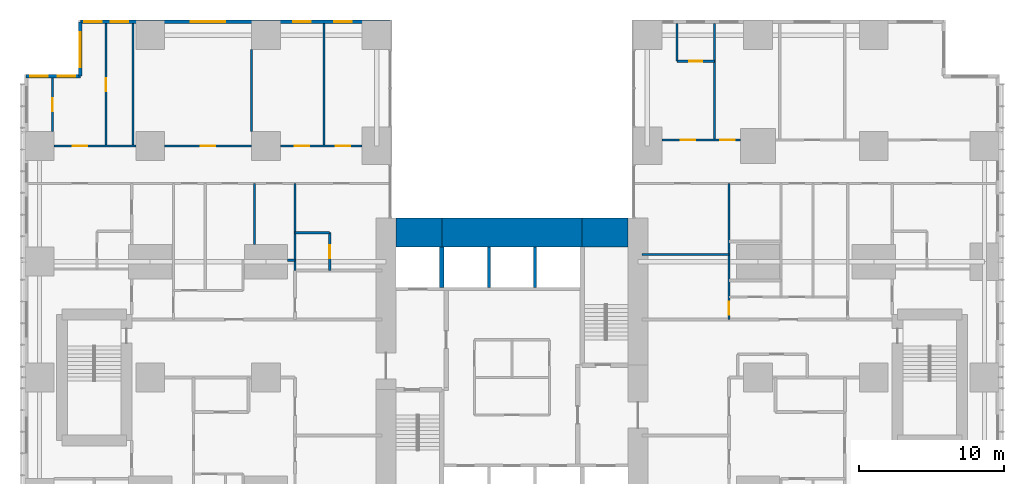
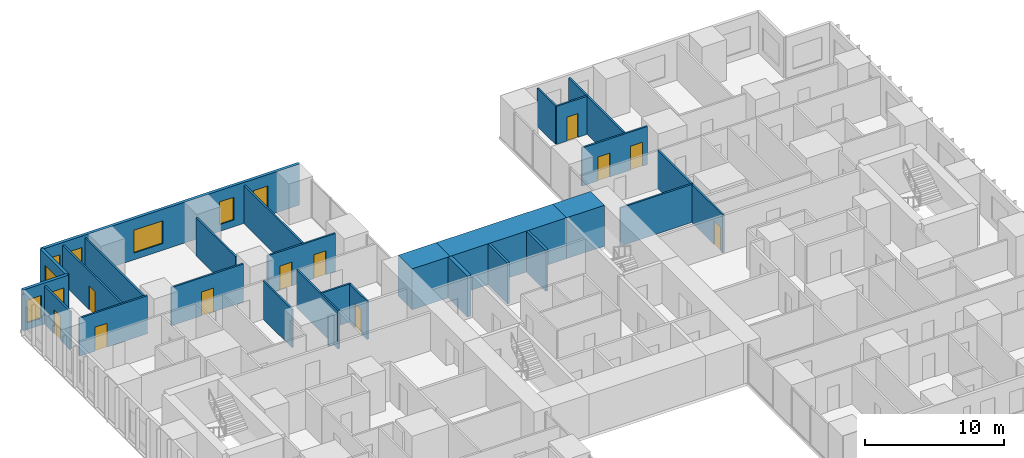
# One storey, part 17 of 20: 28 walls, 11 doors, 8 windows, 19 openings.
"""IFC4 building model written with IfcOpenShell, lengths in metres."""

from ifc_helpers import new_model, si_unit, direction, frame, frame_2d, origin, place, context, subcontext, project, spatial, rectangle, extrude, material, layer, layer_set, type_object, element, fill, save


model = new_model("IFC4")

# Units and contexts
model_context = context("Model", 3, precision=1e-05, world=origin(), true_north=direction((0.0, 1.0)))
body_context = subcontext(model_context, "Body", "Model", "MODEL_VIEW")
ifc_project = project(units=[si_unit("LENGTHUNIT", "METRE"), si_unit("AREAUNIT", "SQUARE_METRE"), si_unit("VOLUMEUNIT", "CUBIC_METRE"), si_unit("PLANEANGLEUNIT", "RADIAN"), si_unit("MASSUNIT", "GRAM", prefix="KILO")], contexts=[model_context])

# Site, building, storey
site_placement = place(None, origin())
site = spatial("IfcSite", under=ifc_project, at=site_placement, CompositionType="ELEMENT")
building_placement = place(site_placement, origin())
building = spatial("IfcBuilding", under=site, at=building_placement, Name="Cleftline Residences", CompositionType="ELEMENT")
storey_placement = place(building_placement, frame((0.0, 0.0, 76.39990234375)))
storey = spatial("IfcBuildingStorey", under=building, at=storey_placement, Name="L19", CompositionType="ELEMENT", Elevation=76.39990234375)

# Walls
ifc_material_1 = material(Name="Concrete B70", Category="concrete")
ifc_layer_1 = layer(ifc_material_1, 2.0)
ifc_layer_set_1 = layer_set([ifc_layer_1], Name="CORE WALL 2000")
wall_type_1 = type_object("IfcWallType", Name="CORE WALL 2000", PredefinedType="SHEAR", material=ifc_layer_set_1)
wall_1_placement = place(storey_placement, frame((25.0, 34.0, 0.0), z_axis=(0.0, 0.0, 1.0), x_axis=(1.0, 0.0, 0.0)))
element("IfcWall", 1, at=wall_1_placement, inside=storey, type_object=wall_type_1, Name="Core wall N1", PredefinedType="SHEAR", context=body_context, shape_type="SweptSolid", body=[
    extrude(rectangle(XDim=3.14990234375, YDim=2.0, at=frame_2d((1.574951171875, 0.0))), origin(), (0.0, 0.0, 1.0), 3.60009765625),
])
wall_2_placement = place(storey_placement, frame((28.14990234375, 34.0, 0.0), z_axis=(0.0, 0.0, 1.0), x_axis=(1.0, 0.0, 0.0)))
element("IfcWall", 2, at=wall_2_placement, inside=storey, type_object=wall_type_1, Name="Core wall N2", PredefinedType="SHEAR", context=body_context, shape_type="SweptSolid", body=[
    extrude(rectangle(XDim=9.7001953125, YDim=2.0, at=frame_2d((4.85009765625, 0.0))), origin(), (0.0, 0.0, 1.0), 3.60009765625),
])
wall_3_placement = place(storey_placement, frame((37.85009765625, 34.0, 0.0), z_axis=(0.0, 0.0, 1.0), x_axis=(1.0, 0.0, 0.0)))
element("IfcWall", 3, at=wall_3_placement, inside=storey, type_object=wall_type_1, Name="Core wall N3", PredefinedType="SHEAR", context=body_context, shape_type="SweptSolid", body=[
    extrude(rectangle(XDim=3.14990234375, YDim=2.0, at=frame_2d((1.574951171875, 0.0))), origin(), (0.0, 0.0, 1.0), 3.60009765625),
])
ifc_material_2 = material(Name="Concrete B70", Category="concrete")
ifc_layer_2 = layer(ifc_material_2, 0.300048828125)
ifc_layer_set_2 = layer_set([ifc_layer_2], Name="CORE WALL 300")
wall_type_2 = type_object("IfcWallType", Name="CORE WALL 300", PredefinedType="SHEAR", material=ifc_layer_set_2)
wall_4_placement = place(storey_placement, frame((28.14990234375, 30.199951171875, 0.0), z_axis=(0.0, 0.0, 1.0), x_axis=(0.0, 1.0, 0.0)))
element("IfcWall", 4, at=wall_4_placement, inside=storey, type_object=wall_type_2, Name="Lift shaft wall", PredefinedType="SHEAR", context=body_context, shape_type="SweptSolid", body=[
    extrude(rectangle(XDim=2.800048828125, YDim=0.300048828125, at=frame_2d((1.39990234375, 0.0))), origin(), (0.0, 0.0, 1.0), 3.60009765625),
])

# Wall, openings, windows
ifc_material_3 = material(Name="Rendered reinforced concrete blockwork", Category="masonry")
ifc_layer_3 = layer(ifc_material_3, 0.25)
ifc_layer_set_3 = layer_set([ifc_layer_3], Name="EXTERNAL WALL 250")
wall_type_3 = type_object("IfcWallType", Name="EXTERNAL WALL 250", PredefinedType="SOLIDWALL", material=ifc_layer_set_3)
wall_5_placement = place(storey_placement, frame((24.574951171875, 48.574951171875, 0.0), z_axis=(0.0, 0.0, 1.0), x_axis=(-1.0, 0.0, 0.0)))
wall_5 = element("IfcWall", 5, at=wall_5_placement, inside=storey, type_object=wall_type_3, Name="External wall", PredefinedType="SOLIDWALL", context=body_context, shape_type="SweptSolid", body=[
    extrude(rectangle(XDim=21.39990234375, YDim=0.25, at=frame_2d((10.699951171875, 0.0))), origin(), (0.0, 0.0, 1.0), 3.60009765625),
])
opening_1_placement = place(wall_5_placement, frame((2.64990234375, 0.0, 0.60009765625)))
opening_1 = element("IfcOpeningElement", 6, at=opening_1_placement, cuts=wall_5, Name="Opening W8", PredefinedType="OPENING", context=body_context, shape_type="SweptSolid", body=[
    extrude(rectangle(XDim=1.199951171875, YDim=2.0, at=frame_2d((0.60009765625, 1.0))), frame((0.0, 0.135009765625, 0.0), z_axis=(0.0, -1.0, 0.0), x_axis=(1.0, 0.0, 0.0)), (0.0, 0.0, 1.0), 0.27001953125),
])
opening_2_placement = place(wall_5_placement, frame((5.47509765625, 0.0, 0.60009765625)))
opening_2 = element("IfcOpeningElement", 7, at=opening_2_placement, cuts=wall_5, Name="Opening W8", PredefinedType="OPENING", context=body_context, shape_type="SweptSolid", body=[
    extrude(rectangle(XDim=1.199951171875, YDim=2.0, at=frame_2d((0.60009765625, 1.0))), frame((0.0, 0.135009765625, 0.0), z_axis=(0.0, -1.0, 0.0), x_axis=(1.0, 0.0, 0.0)), (0.0, 0.0, 1.0), 0.27001953125),
])
opening_3_placement = place(wall_5_placement, frame((11.375, 0.0, 0.60009765625)))
opening_3 = element("IfcOpeningElement", 8, at=opening_3_placement, cuts=wall_5, Name="Opening W6", PredefinedType="OPENING", context=body_context, shape_type="SweptSolid", body=[
    extrude(rectangle(XDim=2.39990234375, YDim=2.0, at=frame_2d((1.199951171875, 1.0))), frame((0.0, 0.135009765625, 0.0), z_axis=(0.0, -1.0, 0.0), x_axis=(1.0, 0.0, 0.0)), (0.0, 0.0, 1.0), 0.27001953125),
])
opening_4_placement = place(wall_5_placement, frame((18.10009765625, 0.0, 0.60009765625)))
opening_4 = element("IfcOpeningElement", 9, at=opening_4_placement, cuts=wall_5, Name="Opening W8", PredefinedType="OPENING", context=body_context, shape_type="SweptSolid", body=[
    extrude(rectangle(XDim=1.199951171875, YDim=2.0, at=frame_2d((0.60009765625, 1.0))), frame((0.0, 0.135009765625, 0.0), z_axis=(0.0, -1.0, 0.0), x_axis=(1.0, 0.0, 0.0)), (0.0, 0.0, 1.0), 0.27001953125),
])
opening_5_placement = place(wall_5_placement, frame((19.925048828125, 0.0, 0.60009765625)))
opening_5 = element("IfcOpeningElement", 10, at=opening_5_placement, cuts=wall_5, Name="Opening W8", PredefinedType="OPENING", context=body_context, shape_type="SweptSolid", body=[
    extrude(rectangle(XDim=1.199951171875, YDim=2.0, at=frame_2d((0.60009765625, 1.0))), frame((0.0, 0.135009765625, 0.0), z_axis=(0.0, -1.0, 0.0), x_axis=(1.0, 0.0, 0.0)), (0.0, 0.0, 1.0), 0.27001953125),
])
ifc_material_4 = material(Name="Aluminium frame, clear double glazing", Category="aluminium")
window_type_1 = type_object("IfcWindowType", Name="WINDOW 1200X2000", PartitioningType="DOUBLE_PANEL_VERTICAL", PredefinedType="WINDOW", material=ifc_material_4)
window_1_placement = place(opening_1_placement, origin())
window_1 = element("IfcWindow", 11, at=window_1_placement, inside=storey, type_object=window_type_1, Name="Window", OverallHeight=2.0, OverallWidth=1.199951171875, PartitioningType="SINGLE_PANEL", PredefinedType="WINDOW", context=body_context, shape_type="SweptSolid", body=[
    extrude(rectangle(XDim=1.199951171875, YDim=2.0, at=frame_2d((0.60009765625, 1.0))), frame((0.0, 0.030029296875, 0.0), z_axis=(0.0, -1.0, 0.0), x_axis=(1.0, 0.0, 0.0)), (0.0, 0.0, 1.0), 0.06005859375),
])
fill(opening_1, window_1)
window_2_placement = place(opening_2_placement, origin())
window_2 = element("IfcWindow", 12, at=window_2_placement, inside=storey, type_object=window_type_1, Name="Window", OverallHeight=2.0, OverallWidth=1.199951171875, PartitioningType="SINGLE_PANEL", PredefinedType="WINDOW", context=body_context, shape_type="SweptSolid", body=[
    extrude(rectangle(XDim=1.199951171875, YDim=2.0, at=frame_2d((0.60009765625, 1.0))), frame((0.0, 0.030029296875, 0.0), z_axis=(0.0, -1.0, 0.0), x_axis=(1.0, 0.0, 0.0)), (0.0, 0.0, 1.0), 0.06005859375),
])
fill(opening_2, window_2)
window_3_placement = place(opening_4_placement, origin())
window_3 = element("IfcWindow", 13, at=window_3_placement, inside=storey, type_object=window_type_1, Name="Window", OverallHeight=2.0, OverallWidth=1.199951171875, PartitioningType="SINGLE_PANEL", PredefinedType="WINDOW", context=body_context, shape_type="SweptSolid", body=[
    extrude(rectangle(XDim=1.199951171875, YDim=2.0, at=frame_2d((0.60009765625, 1.0))), frame((0.0, 0.030029296875, 0.0), z_axis=(0.0, -1.0, 0.0), x_axis=(1.0, 0.0, 0.0)), (0.0, 0.0, 1.0), 0.06005859375),
])
fill(opening_4, window_3)
window_4_placement = place(opening_5_placement, origin())
window_4 = element("IfcWindow", 14, at=window_4_placement, inside=storey, type_object=window_type_1, Name="Window", OverallHeight=2.0, OverallWidth=1.199951171875, PartitioningType="SINGLE_PANEL", PredefinedType="WINDOW", context=body_context, shape_type="SweptSolid", body=[
    extrude(rectangle(XDim=1.199951171875, YDim=2.0, at=frame_2d((0.60009765625, 1.0))), frame((0.0, 0.030029296875, 0.0), z_axis=(0.0, -1.0, 0.0), x_axis=(1.0, 0.0, 0.0)), (0.0, 0.0, 1.0), 0.06005859375),
])
fill(opening_5, window_4)
ifc_material_5 = material(Name="Aluminium frame, clear double glazing", Category="aluminium")
window_type_2 = type_object("IfcWindowType", Name="WINDOW 2400X2000", PartitioningType="DOUBLE_PANEL_VERTICAL", PredefinedType="WINDOW", material=ifc_material_5)
window_5_placement = place(opening_3_placement, origin())
window_5 = element("IfcWindow", 15, at=window_5_placement, inside=storey, type_object=window_type_2, Name="Window", OverallHeight=2.0, OverallWidth=2.39990234375, PartitioningType="SINGLE_PANEL", PredefinedType="WINDOW", context=body_context, shape_type="SweptSolid", body=[
    extrude(rectangle(XDim=2.39990234375, YDim=2.0, at=frame_2d((1.199951171875, 1.0))), frame((0.0, 0.030029296875, 0.0), z_axis=(0.0, -1.0, 0.0), x_axis=(1.0, 0.0, 0.0)), (0.0, 0.0, 1.0), 0.06005859375),
])
fill(opening_3, window_5)

# Wall, opening, window
wall_6_placement = place(storey_placement, frame((3.175048828125, 48.574951171875, 0.0), z_axis=(0.0, 0.0, 1.0), x_axis=(0.0, -1.0, 0.0)))
wall_6 = element("IfcWall", 16, at=wall_6_placement, inside=storey, type_object=wall_type_3, Name="External wall", PredefinedType="SOLIDWALL", context=body_context, shape_type="SweptSolid", body=[
    extrude(rectangle(XDim=3.75, YDim=0.25, at=frame_2d((1.875, 0.0))), origin(), (0.0, 0.0, 1.0), 3.60009765625),
])
opening_6_placement = place(wall_6_placement, frame((0.737548828125, 0.0, 0.60009765625)))
opening_6 = element("IfcOpeningElement", 17, at=opening_6_placement, cuts=wall_6, Name="Opening W6", PredefinedType="OPENING", context=body_context, shape_type="SweptSolid", body=[
    extrude(rectangle(XDim=2.39990234375, YDim=2.0, at=frame_2d((1.199951171875, 1.0))), frame((0.0, 0.135009765625, 0.0), z_axis=(0.0, -1.0, 0.0), x_axis=(1.0, 0.0, 0.0)), (0.0, 0.0, 1.0), 0.27001953125),
])
window_6_placement = place(opening_6_placement, origin())
window_6 = element("IfcWindow", 18, at=window_6_placement, inside=storey, type_object=window_type_2, Name="Window", OverallHeight=2.0, OverallWidth=2.39990234375, PartitioningType="SINGLE_PANEL", PredefinedType="WINDOW", context=body_context, shape_type="SweptSolid", body=[
    extrude(rectangle(XDim=2.39990234375, YDim=2.0, at=frame_2d((1.199951171875, 1.0))), frame((0.0, 0.030029296875, 0.0), z_axis=(0.0, -1.0, 0.0), x_axis=(1.0, 0.0, 0.0)), (0.0, 0.0, 1.0), 0.06005859375),
])
fill(opening_6, window_6)

# Wall, openings, windows
wall_7_placement = place(storey_placement, frame((3.175048828125, 44.824951171875, 0.0), z_axis=(0.0, 0.0, 1.0), x_axis=(-1.0, 0.0, 0.0)))
wall_7 = element("IfcWall", 19, at=wall_7_placement, inside=storey, type_object=wall_type_3, Name="External wall", PredefinedType="SOLIDWALL", context=body_context, shape_type="SweptSolid", body=[
    extrude(rectangle(XDim=3.75, YDim=0.25, at=frame_2d((1.875, 0.0))), origin(), (0.0, 0.0, 1.0), 3.60009765625),
])
opening_7_placement = place(wall_7_placement, frame((0.362548828125, 0.0, 0.60009765625)))
opening_7 = element("IfcOpeningElement", 20, at=opening_7_placement, cuts=wall_7, Name="Opening W8", PredefinedType="OPENING", context=body_context, shape_type="SweptSolid", body=[
    extrude(rectangle(XDim=1.199951171875, YDim=2.0, at=frame_2d((0.60009765625, 1.0))), frame((0.0, 0.135009765625, 0.0), z_axis=(0.0, -1.0, 0.0), x_axis=(1.0, 0.0, 0.0)), (0.0, 0.0, 1.0), 0.27001953125),
])
opening_8_placement = place(wall_7_placement, frame((2.25, 0.0, 0.60009765625)))
opening_8 = element("IfcOpeningElement", 21, at=opening_8_placement, cuts=wall_7, Name="Opening W8", PredefinedType="OPENING", context=body_context, shape_type="SweptSolid", body=[
    extrude(rectangle(XDim=1.199951171875, YDim=2.0, at=frame_2d((0.60009765625, 1.0))), frame((0.0, 0.135009765625, 0.0), z_axis=(0.0, -1.0, 0.0), x_axis=(1.0, 0.0, 0.0)), (0.0, 0.0, 1.0), 0.27001953125),
])
window_7_placement = place(opening_7_placement, origin())
window_7 = element("IfcWindow", 22, at=window_7_placement, inside=storey, type_object=window_type_1, Name="Window", OverallHeight=2.0, OverallWidth=1.199951171875, PartitioningType="SINGLE_PANEL", PredefinedType="WINDOW", context=body_context, shape_type="SweptSolid", body=[
    extrude(rectangle(XDim=1.199951171875, YDim=2.0, at=frame_2d((0.60009765625, 1.0))), frame((0.0, 0.030029296875, 0.0), z_axis=(0.0, -1.0, 0.0), x_axis=(1.0, 0.0, 0.0)), (0.0, 0.0, 1.0), 0.06005859375),
])
fill(opening_7, window_7)
window_8_placement = place(opening_8_placement, origin())
window_8 = element("IfcWindow", 23, at=window_8_placement, inside=storey, type_object=window_type_1, Name="Window", OverallHeight=2.0, OverallWidth=1.199951171875, PartitioningType="SINGLE_PANEL", PredefinedType="WINDOW", context=body_context, shape_type="SweptSolid", body=[
    extrude(rectangle(XDim=1.199951171875, YDim=2.0, at=frame_2d((0.60009765625, 1.0))), frame((0.0, 0.030029296875, 0.0), z_axis=(0.0, -1.0, 0.0), x_axis=(1.0, 0.0, 0.0)), (0.0, 0.0, 1.0), 0.06005859375),
])
fill(opening_8, window_8)

# Walls
ifc_material_6 = material(Name="Gypsum board on steel studs", Category="steel")
ifc_layer_4 = layer(ifc_material_6, 0.14990234375)
ifc_layer_set_4 = layer_set([ifc_layer_4], Name="PARTITION 150")
wall_type_4 = type_object("IfcWallType", Name="PARTITION 150", PredefinedType="PARTITIONING", material=ifc_layer_set_4)
wall_8_placement = place(storey_placement, frame((17.5, 32.10009765625, 0.0), z_axis=(0.0, 0.0, 1.0), x_axis=(1.0, 0.0, 0.0)))
element("IfcWall", 24, at=wall_8_placement, inside=storey, type_object=wall_type_4, Name="Partition", PredefinedType="PARTITIONING", context=body_context, shape_type="SweptSolid", body=[
    extrude(rectangle(XDim=0.5, YDim=0.14990234375, at=frame_2d((0.25, 0.0))), origin(), (0.0, 0.0, 1.0), 2.634033203125),
])
wall_9_placement = place(storey_placement, frame((42.0, 32.5, 0.0), z_axis=(0.0, 0.0, 1.0), x_axis=(1.0, 0.0, 0.0)))
element("IfcWall", 25, at=wall_9_placement, inside=storey, type_object=wall_type_4, Name="Partition", PredefinedType="PARTITIONING", context=body_context, shape_type="SweptSolid", body=[
    extrude(rectangle(XDim=6.0, YDim=0.14990234375, at=frame_2d((3.0, 0.0))), origin(), (0.0, 0.0, 1.0), 3.35009765625),
])
wall_10_placement = place(storey_placement, frame((18.0, 34.0, 0.0), z_axis=(0.0, 0.0, 1.0), x_axis=(1.0, 0.0, 0.0)))
element("IfcWall", 26, at=wall_10_placement, inside=storey, type_object=wall_type_4, Name="Partition", PredefinedType="PARTITIONING", context=body_context, shape_type="SweptSolid", body=[
    extrude(rectangle(XDim=2.39990234375, YDim=0.14990234375, at=frame_2d((1.199951171875, 0.0))), origin(), (0.0, 0.0, 1.0), 3.35009765625),
])

# Wall, opening, door
wall_11_placement = place(storey_placement, frame((1.35009765625, 40.0, 0.0), z_axis=(0.0, 0.0, 1.0), x_axis=(1.0, 0.0, 0.0)))
wall_11 = element("IfcWall", 27, at=wall_11_placement, inside=storey, type_object=wall_type_4, Name="Partition", PredefinedType="PARTITIONING", context=body_context, shape_type="SweptSolid", body=[
    extrude(rectangle(XDim=5.64990234375, YDim=0.14990234375, at=frame_2d((2.824951171875, 0.0))), origin(), (0.0, 0.0, 1.0), 3.35009765625),
])
opening_9_placement = place(wall_11_placement, frame((1.300048828125, 0.0, 0.0)))
opening_9 = element("IfcOpeningElement", 28, at=opening_9_placement, cuts=wall_11, Name="Opening D2", PredefinedType="OPENING", context=body_context, shape_type="SweptSolid", body=[
    extrude(rectangle(XDim=1.0, YDim=2.10009765625, at=frame_2d((0.5, 1.050048828125))), frame((0.0, 0.0849609375, 0.0), z_axis=(0.0, -1.0, 0.0), x_axis=(1.0, 0.0, 0.0)), (0.0, 0.0, 1.0), 0.169921875),
])
ifc_material_7 = material(Name="Timber veneer on solid core", Category="wood")
door_type_1 = type_object("IfcDoorType", Name="DOOR 1000X2100", OperationType="SINGLE_SWING_LEFT", PredefinedType="DOOR", material=ifc_material_7)
door_1_placement = place(opening_9_placement, origin())
door_1 = element("IfcDoor", 29, at=door_1_placement, inside=storey, type_object=door_type_1, Name="Door to bedroom 2", OperationType="SINGLE_SWING_RIGHT", OverallHeight=2.10009765625, OverallWidth=1.0, PredefinedType="DOOR", context=body_context, shape_type="SweptSolid", body=[
    extrude(rectangle(XDim=1.0, YDim=2.10009765625, at=frame_2d((0.5, 1.050048828125))), frame((0.0, 0.02490234375, 0.0), z_axis=(0.0, -1.0, 0.0), x_axis=(1.0, 0.0, 0.0)), (0.0, 0.0, 1.0), 0.050048828125),
])
fill(opening_9, door_1)

wall_12_placement = place(storey_placement, frame((9.0, 40.0, 0.0), z_axis=(0.0, 0.0, 1.0), x_axis=(1.0, 0.0, 0.0)))
wall_12 = element("IfcWall", 30, at=wall_12_placement, inside=storey, type_object=wall_type_4, Name="Partition", PredefinedType="PARTITIONING", context=body_context, shape_type="SweptSolid", body=[
    extrude(rectangle(XDim=6.0, YDim=0.14990234375, at=frame_2d((3.0, 0.0))), origin(), (0.0, 0.0, 1.0), 3.35009765625),
])
opening_10_placement = place(wall_12_placement, frame((2.5, 0.0, 0.0)))
opening_10 = element("IfcOpeningElement", 31, at=opening_10_placement, cuts=wall_12, Name="Opening D2", PredefinedType="OPENING", context=body_context, shape_type="SweptSolid", body=[
    extrude(rectangle(XDim=1.0, YDim=2.10009765625, at=frame_2d((0.5, 1.050048828125))), frame((0.0, 0.0849609375, 0.0), z_axis=(0.0, -1.0, 0.0), x_axis=(1.0, 0.0, 0.0)), (0.0, 0.0, 1.0), 0.169921875),
])
door_2_placement = place(opening_10_placement, origin())
door_2 = element("IfcDoor", 32, at=door_2_placement, inside=storey, type_object=door_type_1, Name="Door to living room", OperationType="SINGLE_SWING_LEFT", OverallHeight=2.10009765625, OverallWidth=1.0, PredefinedType="DOOR", context=body_context, shape_type="SweptSolid", body=[
    extrude(rectangle(XDim=1.0, YDim=2.10009765625, at=frame_2d((0.5, 1.050048828125))), frame((0.0, 0.02490234375, 0.0), z_axis=(0.0, -1.0, 0.0), x_axis=(1.0, 0.0, 0.0)), (0.0, 0.0, 1.0), 0.050048828125),
])
fill(opening_10, door_2)

# Wall, openings, doors
wall_13_placement = place(storey_placement, frame((17.0, 40.0, 0.0), z_axis=(0.0, 0.0, 1.0), x_axis=(1.0, 0.0, 0.0)))
wall_13 = element("IfcWall", 33, at=wall_13_placement, inside=storey, type_object=wall_type_4, Name="Partition", PredefinedType="PARTITIONING", context=body_context, shape_type="SweptSolid", body=[
    extrude(rectangle(XDim=5.64990234375, YDim=0.14990234375, at=frame_2d((2.824951171875, 0.0))), origin(), (0.0, 0.0, 1.0), 3.35009765625),
])
opening_11_placement = place(wall_13_placement, frame((1.0, 0.0, 0.0)))
opening_11 = element("IfcOpeningElement", 34, at=opening_11_placement, cuts=wall_13, Name="Opening D2", PredefinedType="OPENING", context=body_context, shape_type="SweptSolid", body=[
    extrude(rectangle(XDim=1.0, YDim=2.10009765625, at=frame_2d((0.5, 1.050048828125))), frame((0.0, 0.0849609375, 0.0), z_axis=(0.0, -1.0, 0.0), x_axis=(1.0, 0.0, 0.0)), (0.0, 0.0, 1.0), 0.169921875),
])
opening_12_placement = place(wall_13_placement, frame((3.824951171875, 0.0, 0.0)))
opening_12 = element("IfcOpeningElement", 35, at=opening_12_placement, cuts=wall_13, Name="Opening D2", PredefinedType="OPENING", context=body_context, shape_type="SweptSolid", body=[
    extrude(rectangle(XDim=1.0, YDim=2.10009765625, at=frame_2d((0.5, 1.050048828125))), frame((0.0, 0.0849609375, 0.0), z_axis=(0.0, -1.0, 0.0), x_axis=(1.0, 0.0, 0.0)), (0.0, 0.0, 1.0), 0.169921875),
])
door_3_placement = place(opening_11_placement, origin())
door_3 = element("IfcDoor", 36, at=door_3_placement, inside=storey, type_object=door_type_1, Name="Door to dining room", OperationType="SINGLE_SWING_RIGHT", OverallHeight=2.10009765625, OverallWidth=1.0, PredefinedType="DOOR", context=body_context, shape_type="SweptSolid", body=[
    extrude(rectangle(XDim=1.0, YDim=2.10009765625, at=frame_2d((0.5, 1.050048828125))), frame((0.0, 0.02490234375, 0.0), z_axis=(0.0, -1.0, 0.0), x_axis=(1.0, 0.0, 0.0)), (0.0, 0.0, 1.0), 0.050048828125),
])
fill(opening_11, door_3)
door_4_placement = place(opening_12_placement, origin())
door_4 = element("IfcDoor", 37, at=door_4_placement, inside=storey, type_object=door_type_1, Name="Door to show kitchen", OperationType="SINGLE_SWING_LEFT", OverallHeight=2.10009765625, OverallWidth=1.0, PredefinedType="DOOR", context=body_context, shape_type="SweptSolid", body=[
    extrude(rectangle(XDim=1.0, YDim=2.10009765625, at=frame_2d((0.5, 1.050048828125))), frame((0.0, 0.02490234375, 0.0), z_axis=(0.0, -1.0, 0.0), x_axis=(1.0, 0.0, 0.0)), (0.0, 0.0, 1.0), 0.050048828125),
])
fill(opening_12, door_4)

wall_14_placement = place(storey_placement, frame((43.35009765625, 40.39990234375, 0.0), z_axis=(0.0, 0.0, 1.0), x_axis=(1.0, 0.0, 0.0)))
wall_14 = element("IfcWall", 38, at=wall_14_placement, inside=storey, type_object=wall_type_4, Name="Partition", PredefinedType="PARTITIONING", context=body_context, shape_type="SweptSolid", body=[
    extrude(rectangle(XDim=5.449951171875, YDim=0.14990234375, at=frame_2d((2.72509765625, 0.0))), origin(), (0.0, 0.0, 1.0), 3.35009765625),
])
opening_13_placement = place(wall_14_placement, frame((4.050048828125, 0.0, 0.0)))
opening_13 = element("IfcOpeningElement", 39, at=opening_13_placement, cuts=wall_14, Name="Opening D2", PredefinedType="OPENING", context=body_context, shape_type="SweptSolid", body=[
    extrude(rectangle(XDim=1.0, YDim=2.10009765625, at=frame_2d((0.5, 1.050048828125))), frame((0.0, 0.0849609375, 0.0), z_axis=(0.0, -1.0, 0.0), x_axis=(1.0, 0.0, 0.0)), (0.0, 0.0, 1.0), 0.169921875),
])
opening_14_placement = place(wall_14_placement, frame((1.324951171875, 0.0, 0.0)))
opening_14 = element("IfcOpeningElement", 40, at=opening_14_placement, cuts=wall_14, Name="Opening D2", PredefinedType="OPENING", context=body_context, shape_type="SweptSolid", body=[
    extrude(rectangle(XDim=1.0, YDim=2.10009765625, at=frame_2d((0.5, 1.050048828125))), frame((0.0, 0.0849609375, 0.0), z_axis=(0.0, -1.0, 0.0), x_axis=(1.0, 0.0, 0.0)), (0.0, 0.0, 1.0), 0.169921875),
])
door_5_placement = place(opening_13_placement, origin())
door_5 = element("IfcDoor", 41, at=door_5_placement, inside=storey, type_object=door_type_1, Name="Door to show kitchen", OperationType="SINGLE_SWING_LEFT", OverallHeight=2.10009765625, OverallWidth=1.0, PredefinedType="DOOR", context=body_context, shape_type="SweptSolid", body=[
    extrude(rectangle(XDim=1.0, YDim=2.10009765625, at=frame_2d((0.5, 1.050048828125))), frame((0.0, 0.02490234375, 0.0), z_axis=(0.0, -1.0, 0.0), x_axis=(1.0, 0.0, 0.0)), (0.0, 0.0, 1.0), 0.050048828125),
])
fill(opening_13, door_5)
door_6_placement = place(opening_14_placement, origin())
door_6 = element("IfcDoor", 42, at=door_6_placement, inside=storey, type_object=door_type_1, Name="Door to bedroom 3", OperationType="SINGLE_SWING_RIGHT", OverallHeight=2.10009765625, OverallWidth=1.0, PredefinedType="DOOR", context=body_context, shape_type="SweptSolid", body=[
    extrude(rectangle(XDim=1.0, YDim=2.10009765625, at=frame_2d((0.5, 1.050048828125))), frame((0.0, 0.02490234375, 0.0), z_axis=(0.0, -1.0, 0.0), x_axis=(1.0, 0.0, 0.0)), (0.0, 0.0, 1.0), 0.050048828125),
])
fill(opening_14, door_6)

# Wall, opening, door
wall_15_placement = place(storey_placement, frame((44.39990234375, 45.85009765625, 0.0), z_axis=(0.0, 0.0, 1.0), x_axis=(1.0, 0.0, 0.0)))
wall_15 = element("IfcWall", 43, at=wall_15_placement, inside=storey, type_object=wall_type_4, Name="Partition", PredefinedType="PARTITIONING", context=body_context, shape_type="SweptSolid", body=[
    extrude(rectangle(XDim=2.60009765625, YDim=0.14990234375, at=frame_2d((1.300048828125, 0.0))), origin(), (0.0, 0.0, 1.0), 3.35009765625),
])
opening_15_placement = place(wall_15_placement, frame((0.85009765625, 0.0, 0.0)))
opening_15 = element("IfcOpeningElement", 44, at=opening_15_placement, cuts=wall_15, Name="Opening D1", PredefinedType="OPENING", context=body_context, shape_type="SweptSolid", body=[
    extrude(rectangle(XDim=0.89990234375, YDim=2.10009765625, at=frame_2d((0.449951171875, 1.050048828125))), frame((0.0, 0.0849609375, 0.0), z_axis=(0.0, -1.0, 0.0), x_axis=(1.0, 0.0, 0.0)), (0.0, 0.0, 1.0), 0.169921875),
])
ifc_material_8 = material(Name="Timber veneer on solid core", Category="wood")
door_type_2 = type_object("IfcDoorType", Name="DOOR 900X2100", OperationType="SINGLE_SWING_LEFT", PredefinedType="DOOR", material=ifc_material_8)
door_7_placement = place(opening_15_placement, origin())
door_7 = element("IfcDoor", 45, at=door_7_placement, inside=storey, type_object=door_type_2, Name="Door to en-suite bathroom 3", OperationType="SINGLE_SWING_LEFT", OverallHeight=2.10009765625, OverallWidth=0.89990234375, PredefinedType="DOOR", context=body_context, shape_type="SweptSolid", body=[
    extrude(rectangle(XDim=0.89990234375, YDim=2.10009765625, at=frame_2d((0.449951171875, 1.050048828125))), frame((0.0, 0.02490234375, 0.0), z_axis=(0.0, -1.0, 0.0), x_axis=(1.0, 0.0, 0.0)), (0.0, 0.0, 1.0), 0.050048828125),
])
fill(opening_15, door_7)

wall_16_placement = place(storey_placement, frame((1.25, 41.0, 0.0), z_axis=(0.0, 0.0, 1.0), x_axis=(0.0, 1.0, 0.0)))
wall_16 = element("IfcWall", 46, at=wall_16_placement, inside=storey, type_object=wall_type_4, Name="Partition", PredefinedType="PARTITIONING", context=body_context, shape_type="SweptSolid", body=[
    extrude(rectangle(XDim=3.699951171875, YDim=0.14990234375, at=frame_2d((1.85009765625, 0.0))), origin(), (0.0, 0.0, 1.0), 3.35009765625),
])
opening_16_placement = place(wall_16_placement, frame((1.39990234375, 0.0, 0.0)))
opening_16 = element("IfcOpeningElement", 47, at=opening_16_placement, cuts=wall_16, Name="Opening D1", PredefinedType="OPENING", context=body_context, shape_type="SweptSolid", body=[
    extrude(rectangle(XDim=0.89990234375, YDim=2.10009765625, at=frame_2d((0.449951171875, 1.050048828125))), frame((0.0, 0.0849609375, 0.0), z_axis=(0.0, -1.0, 0.0), x_axis=(1.0, 0.0, 0.0)), (0.0, 0.0, 1.0), 0.169921875),
])
door_8_placement = place(opening_16_placement, origin())
door_8 = element("IfcDoor", 48, at=door_8_placement, inside=storey, type_object=door_type_2, Name="Door to walk-in wardrobe", OperationType="SINGLE_SWING_LEFT", OverallHeight=2.10009765625, OverallWidth=0.89990234375, PredefinedType="DOOR", context=body_context, shape_type="SweptSolid", body=[
    extrude(rectangle(XDim=0.89990234375, YDim=2.10009765625, at=frame_2d((0.449951171875, 1.050048828125))), frame((0.0, 0.02490234375, 0.0), z_axis=(0.0, -1.0, 0.0), x_axis=(1.0, 0.0, 0.0)), (0.0, 0.0, 1.0), 0.050048828125),
])
fill(opening_16, door_8)

wall_17_placement = place(storey_placement, frame((4.949951171875, 40.0, 0.0), z_axis=(0.0, 0.0, 1.0), x_axis=(0.0, 1.0, 0.0)))
wall_17 = element("IfcWall", 49, at=wall_17_placement, inside=storey, type_object=wall_type_4, Name="Partition", PredefinedType="PARTITIONING", context=body_context, shape_type="SweptSolid", body=[
    extrude(rectangle(XDim=8.449951171875, YDim=0.14990234375, at=frame_2d((4.22509765625, 0.0))), origin(), (0.0, 0.0, 1.0), 3.35009765625),
])
opening_17_placement = place(wall_17_placement, frame((3.77490234375, 0.0, 0.0)))
opening_17 = element("IfcOpeningElement", 50, at=opening_17_placement, cuts=wall_17, Name="Opening D1", PredefinedType="OPENING", context=body_context, shape_type="SweptSolid", body=[
    extrude(rectangle(XDim=0.89990234375, YDim=2.10009765625, at=frame_2d((0.449951171875, 1.050048828125))), frame((0.0, 0.0849609375, 0.0), z_axis=(0.0, -1.0, 0.0), x_axis=(1.0, 0.0, 0.0)), (0.0, 0.0, 1.0), 0.169921875),
])
door_9_placement = place(opening_17_placement, origin())
door_9 = element("IfcDoor", 51, at=door_9_placement, inside=storey, type_object=door_type_2, Name="Door to en-suite bathroom 2", OperationType="SINGLE_SWING_LEFT", OverallHeight=2.10009765625, OverallWidth=0.89990234375, PredefinedType="DOOR", context=body_context, shape_type="SweptSolid", body=[
    extrude(rectangle(XDim=0.89990234375, YDim=2.10009765625, at=frame_2d((0.449951171875, 1.050048828125))), frame((0.0, 0.02490234375, 0.0), z_axis=(0.0, -1.0, 0.0), x_axis=(1.0, 0.0, 0.0)), (0.0, 0.0, 1.0), 0.050048828125),
])
fill(opening_17, door_9)

# Walls
wall_18_placement = place(storey_placement, frame((6.800048828125, 40.0, 0.0), z_axis=(0.0, 0.0, 1.0), x_axis=(0.0, 1.0, 0.0)))
element("IfcWall", 52, at=wall_18_placement, inside=storey, type_object=wall_type_4, Name="Partition", PredefinedType="PARTITIONING", context=body_context, shape_type="SweptSolid", body=[
    extrude(rectangle(XDim=8.449951171875, YDim=0.14990234375, at=frame_2d((4.22509765625, 0.0))), origin(), (0.0, 0.0, 1.0), 3.35009765625),
])
wall_19_placement = place(storey_placement, frame((15.0, 41.0, 0.0), z_axis=(0.0, 0.0, 1.0), x_axis=(0.0, 1.0, 0.0)))
element("IfcWall", 53, at=wall_19_placement, inside=storey, type_object=wall_type_4, Name="Partition", PredefinedType="PARTITIONING", context=body_context, shape_type="SweptSolid", body=[
    extrude(rectangle(XDim=5.64990234375, YDim=0.14990234375, at=frame_2d((2.824951171875, 0.0))), origin(), (0.0, 0.0, 1.0), 3.35009765625),
])
wall_20_placement = place(storey_placement, frame((15.199951171875, 33.199951171875, 0.0), z_axis=(0.0, 0.0, 1.0), x_axis=(0.0, 1.0, 0.0)))
element("IfcWall", 54, at=wall_20_placement, inside=storey, type_object=wall_type_4, Name="Partition", PredefinedType="PARTITIONING", context=body_context, shape_type="SweptSolid", body=[
    extrude(rectangle(XDim=4.199951171875, YDim=0.14990234375, at=frame_2d((2.10009765625, 0.0))), origin(), (0.0, 0.0, 1.0), 3.35009765625),
])
wall_21_placement = place(storey_placement, frame((18.0, 31.39990234375, 0.0), z_axis=(0.0, 0.0, 1.0), x_axis=(0.0, 1.0, 0.0)))
element("IfcWall", 55, at=wall_21_placement, inside=storey, type_object=wall_type_4, Name="Partition", PredefinedType="PARTITIONING", context=body_context, shape_type="SweptSolid", body=[
    extrude(rectangle(XDim=6.0, YDim=0.14990234375, at=frame_2d((3.0, 0.0))), origin(), (0.0, 0.0, 1.0), 3.35009765625),
])
wall_22_placement = place(storey_placement, frame((20.0, 40.0, 0.0), z_axis=(0.0, 0.0, 1.0), x_axis=(0.0, 1.0, 0.0)))
element("IfcWall", 56, at=wall_22_placement, inside=storey, type_object=wall_type_4, Name="Partition", PredefinedType="PARTITIONING", context=body_context, shape_type="SweptSolid", body=[
    extrude(rectangle(XDim=8.449951171875, YDim=0.14990234375, at=frame_2d((4.22509765625, 0.0))), origin(), (0.0, 0.0, 1.0), 3.35009765625),
])

# Wall, opening, door
wall_23_placement = place(storey_placement, frame((20.39990234375, 31.39990234375, 0.0), z_axis=(0.0, 0.0, 1.0), x_axis=(0.0, 1.0, 0.0)))
wall_23 = element("IfcWall", 57, at=wall_23_placement, inside=storey, type_object=wall_type_4, Name="Partition", PredefinedType="PARTITIONING", context=body_context, shape_type="SweptSolid", body=[
    extrude(rectangle(XDim=2.60009765625, YDim=0.14990234375, at=frame_2d((1.300048828125, 0.0))), origin(), (0.0, 0.0, 1.0), 3.35009765625),
])
opening_18_placement = place(wall_23_placement, frame((0.85009765625, 0.0, 0.0)))
opening_18 = element("IfcOpeningElement", 58, at=opening_18_placement, cuts=wall_23, Name="Opening D1", PredefinedType="OPENING", context=body_context, shape_type="SweptSolid", body=[
    extrude(rectangle(XDim=0.89990234375, YDim=2.10009765625, at=frame_2d((0.449951171875, 1.050048828125))), frame((0.0, 0.0849609375, 0.0), z_axis=(0.0, -1.0, 0.0), x_axis=(1.0, 0.0, 0.0)), (0.0, 0.0, 1.0), 0.169921875),
])
door_10_placement = place(opening_18_placement, origin())
door_10 = element("IfcDoor", 59, at=door_10_placement, inside=storey, type_object=door_type_2, Name="Door to en-suite bathroom 3", OperationType="SINGLE_SWING_LEFT", OverallHeight=2.10009765625, OverallWidth=0.89990234375, PredefinedType="DOOR", context=body_context, shape_type="SweptSolid", body=[
    extrude(rectangle(XDim=0.89990234375, YDim=2.10009765625, at=frame_2d((0.449951171875, 1.050048828125))), frame((0.0, 0.02490234375, 0.0), z_axis=(0.0, -1.0, 0.0), x_axis=(1.0, 0.0, 0.0)), (0.0, 0.0, 1.0), 0.050048828125),
])
fill(opening_18, door_10)

# Walls
wall_24_placement = place(storey_placement, frame((44.39990234375, 45.85009765625, 0.0), z_axis=(0.0, 0.0, 1.0), x_axis=(0.0, 1.0, 0.0)))
element("IfcWall", 60, at=wall_24_placement, inside=storey, type_object=wall_type_4, Name="Partition", PredefinedType="PARTITIONING", context=body_context, shape_type="SweptSolid", body=[
    extrude(rectangle(XDim=2.599853515625, YDim=0.14990234375, at=frame_2d((1.2998046875, 0.0))), origin(), (0.0, 0.0, 1.0), 3.35009765625),
])
wall_25_placement = place(storey_placement, frame((47.0, 40.39990234375, 0.0), z_axis=(0.0, 0.0, 1.0), x_axis=(0.0, 1.0, 0.0)))
element("IfcWall", 61, at=wall_25_placement, inside=storey, type_object=wall_type_4, Name="Partition", PredefinedType="PARTITIONING", context=body_context, shape_type="SweptSolid", body=[
    extrude(rectangle(XDim=8.050048828125, YDim=0.14990234375, at=frame_2d((4.02490234375, 0.0))), origin(), (0.0, 0.0, 1.0), 3.35009765625),
])

# Wall, opening, door
wall_26_placement = place(storey_placement, frame((48.0, 28.0, 0.0), z_axis=(0.0, 0.0, 1.0), x_axis=(0.0, 1.0, 0.0)))
wall_26 = element("IfcWall", 62, at=wall_26_placement, inside=storey, type_object=wall_type_4, Name="Partition", PredefinedType="PARTITIONING", context=body_context, shape_type="SweptSolid", body=[
    extrude(rectangle(XDim=9.39990234375, YDim=0.14990234375, at=frame_2d((4.699951171875, 0.0))), origin(), (0.0, 0.0, 1.0), 3.35009765625),
])
opening_19_placement = place(wall_26_placement, frame((0.324951171875, 0.0, 0.0)))
opening_19 = element("IfcOpeningElement", 63, at=opening_19_placement, cuts=wall_26, Name="Opening D1", PredefinedType="OPENING", context=body_context, shape_type="SweptSolid", body=[
    extrude(rectangle(XDim=0.89990234375, YDim=2.10009765625, at=frame_2d((0.449951171875, 1.050048828125))), frame((0.0, 0.0849609375, 0.0), z_axis=(0.0, -1.0, 0.0), x_axis=(1.0, 0.0, 0.0)), (0.0, 0.0, 1.0), 0.169921875),
])
door_11_placement = place(opening_19_placement, origin())
door_11 = element("IfcDoor", 64, at=door_11_placement, inside=storey, type_object=door_type_2, Name="Door to utility room", OperationType="SINGLE_SWING_RIGHT", OverallHeight=2.10009765625, OverallWidth=0.89990234375, PredefinedType="DOOR", context=body_context, shape_type="SweptSolid", body=[
    extrude(rectangle(XDim=0.89990234375, YDim=2.10009765625, at=frame_2d((0.449951171875, 1.050048828125))), frame((0.0, 0.02490234375, 0.0), z_axis=(0.0, -1.0, 0.0), x_axis=(1.0, 0.0, 0.0)), (0.0, 0.0, 1.0), 0.050048828125),
])
fill(opening_19, door_11)

# Walls
ifc_material_9 = material(Name="Concrete blockwork, fire rated", Category="masonry")
ifc_layer_5 = layer(ifc_material_9, 0.199951171875)
ifc_layer_set_5 = layer_set([ifc_layer_5], Name="SHAFT WALL 200")
wall_type_5 = type_object("IfcWallType", Name="SHAFT WALL 200", PredefinedType="PARTITIONING", material=ifc_layer_set_5)
for number, where, z_axis, x_axis, name in (
    (65, (31.39990234375, 30.199951171875, 0.0), (0.0, 0.0, 1.0), (0.0, 1.0, 0.0), "Lift shaft wall"),
    (66, (34.60009765625, 30.199951171875, 0.0), (0.0, 0.0, 1.0), (0.0, 1.0, 0.0), "Lift shaft wall"),
):
    element("IfcWall", number, at=place(storey_placement, frame(where, z_axis=z_axis, x_axis=x_axis)), inside=storey, type_object=wall_type_5, Name=name, PredefinedType="PARTITIONING", context=body_context, shape_type="SweptSolid", body=[
        extrude(rectangle(XDim=2.800048828125, YDim=0.199951171875, at=frame_2d((1.39990234375, 0.0))), origin(), (0.0, 0.0, 1.0), 3.60009765625),
    ])

save(model, "model.ifc")
